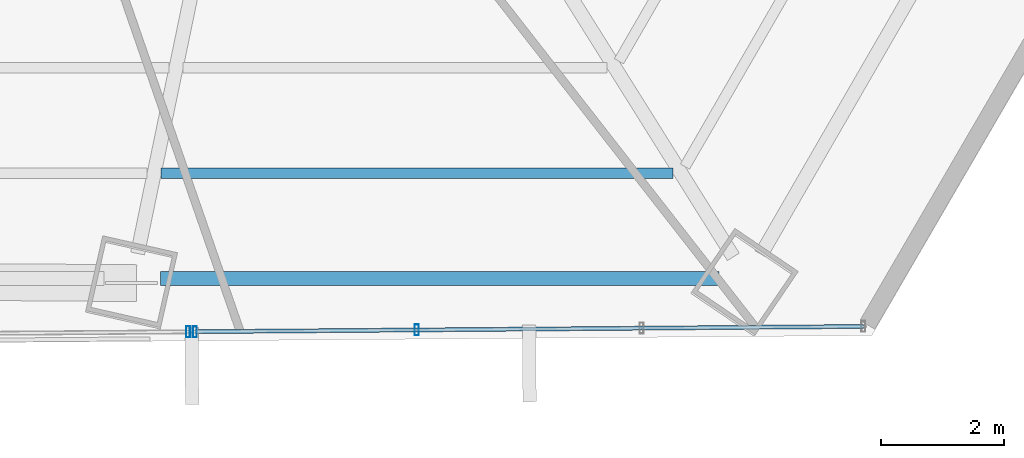
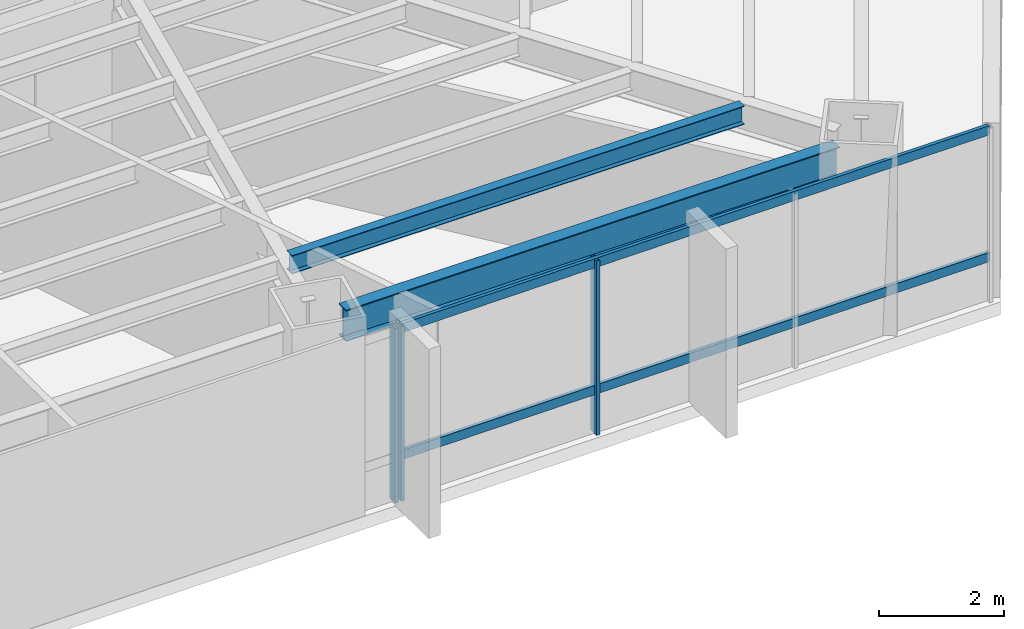
# One storey, part 15 of 35: 5 members, 2 beams, 2 elements without a shape of their own.
"""IFC4 building model written with IfcOpenShell, lengths in metres."""

from ifc_helpers import new_model, si_unit, direction, frame, origin, origin_2d, place, context, subcontext, project, spatial, hollow_rectangle, i_section, extrude, source, transform, mapped, material, material_profile, profile_set, type_object, type_shapes, element, aggregate, save


model = new_model("IFC4")

# Units and contexts
model_context = context("Model", 3, precision=1e-05, world=origin(), true_north=direction((0.0, 1.0)))
body_context = subcontext(model_context, "Body", "Model", "MODEL_VIEW")
ifc_project = project(units=[si_unit("LENGTHUNIT", "METRE"), si_unit("AREAUNIT", "SQUARE_METRE"), si_unit("VOLUMEUNIT", "CUBIC_METRE"), si_unit("PLANEANGLEUNIT", "RADIAN"), si_unit("MASSUNIT", "GRAM", prefix="KILO")], contexts=[model_context])

# Site, building, storey
site_placement = place(None, origin())
site = spatial("IfcSite", under=ifc_project, at=site_placement, CompositionType="ELEMENT")
building_placement = place(site_placement, origin())
building = spatial("IfcBuilding", under=site, at=building_placement, Name="Caelisora Broadcast Tower", CompositionType="ELEMENT")
storey_placement = place(building_placement, frame((0.0, 0.0, 53.14990234375)))
storey = spatial("IfcBuildingStorey", under=building, at=storey_placement, Name="L13", CompositionType="ELEMENT", Elevation=53.14990234375)

# Beams
ifc_material_1 = material(Name="Steel Grade 350 (AS/NZS 3679.1)", Category="steel")
ifc_material_profile_1 = material_profile(ifc_material_1, i_section(OverallWidth=0.22900390625, OverallDepth=0.611572265625, WebThickness=0.011962890625, FlangeThickness=0.01953125, at=origin_2d()), Name="Steel Grade 350 (AS/NZS 3679.1)")
ifc_profile_set_1 = profile_set([ifc_material_profile_1], Name="Steel Grade 350 (AS/NZS 3679.1)")
beam_type_1 = type_object("IfcBeamType", Name="PG03", PredefinedType="BEAM", material=ifc_profile_set_1)
shared_shape_1 = source(origin(), body_context, "Body", "SweptSolid", [
    extrude(i_section(OverallWidth=0.22900390625, OverallDepth=0.611572265625, WebThickness=0.011962890625, FlangeThickness=0.01953125, at=origin_2d()), origin(), (0.0, 0.0, 1.0), 9.09716796875),
])
type_shapes(beam_type_1, [shared_shape_1])
beam_1_placement = place(storey_placement, frame((43.468505859375, 5.37841796875, 3.09423828125), z_axis=(1.0, 0.0, 0.0), x_axis=(0.0, 1.0, 0.0)))
element("IfcBeam", 1, at=beam_1_placement, inside=storey, type_object=beam_type_1, Name="L13 beam PG03", PredefinedType="BEAM", context=body_context, shape_type="MappedRepresentation", body=[
    mapped(shared_shape_1, transform((0.0, 0.0, 0.0), scale=1.0)),
])
ifc_material_profile_2 = material_profile(ifc_material_1, i_section(OverallWidth=0.172119140625, OverallDepth=0.358642578125, WebThickness=0.008056640625, FlangeThickness=0.012939453125, at=origin_2d()), Name="Steel Grade 350 (AS/NZS 3679.1)")
ifc_profile_set_2 = profile_set([ifc_material_profile_2], Name="Steel Grade 350 (AS/NZS 3679.1)")
beam_type_2 = type_object("IfcBeamType", Name="SB02", PredefinedType="JOIST", material=ifc_profile_set_2)
shared_shape_2 = source(origin(), body_context, "Body", "SweptSolid", [
    extrude(i_section(OverallWidth=0.172119140625, OverallDepth=0.358642578125, WebThickness=0.008056640625, FlangeThickness=0.012939453125, at=origin_2d()), origin(), (0.0, 0.0, 1.0), 8.34130859375),
])
type_shapes(beam_type_2, [shared_shape_2])
beam_2_placement = place(storey_placement, frame((43.477783203125, 7.095703125, 3.220703125), z_axis=(1.0, 0.0, 0.0), x_axis=(0.0, 1.0, 0.0)))
element("IfcBeam", 2, at=beam_2_placement, inside=storey, type_object=beam_type_2, Name="L13 beam SB02", PredefinedType="JOIST", context=body_context, shape_type="MappedRepresentation", body=[
    mapped(shared_shape_2, transform((0.0, 0.0, 0.0), scale=1.0)),
])

# Curtain wall, members
ifc_material_2 = material(Name="Unitised Aluminium and Low-E Glass Curtain Wall", Category="glass")
curtain_wall_type_1 = type_object("IfcCurtainWallType", Name="CW-Z1", PredefinedType="NOTDEFINED", material=ifc_material_2)
curtain_wall_1_placement = place(storey_placement, origin())
curtain_wall_1 = element("IfcCurtainWall", 3, at=curtain_wall_1_placement, inside=storey, type_object=curtain_wall_type_1, Name="L13 curtain wall CW-Z1", PredefinedType="NOTDEFINED")
ifc_material_3 = material(Name="Aluminium 6063-T6 Anodised Terracotta Bronze", Category="aluminium")
ifc_material_profile_3 = material_profile(ifc_material_3, hollow_rectangle(XDim=0.06494140625, YDim=0.179931640625, WallThickness=0.00341796875, at=origin_2d()), Name="Aluminium 6063-T6 Anodised Terracotta Bronze")
ifc_profile_set_3 = profile_set([ifc_material_profile_3], Name="Aluminium 6063-T6 Anodised Terracotta Bronze")
member_type_1 = type_object("IfcMemberType", Name="CWM-02", PredefinedType="MULLION", material=ifc_profile_set_3)
shared_shape_3 = source(origin(), body_context, "Body", "SweptSolid", [
    extrude(hollow_rectangle(XDim=0.06494140625, YDim=0.179931640625, WallThickness=0.00341796875, at=origin_2d()), origin(), (0.0, 0.0, 1.0), 3.400146484375),
])
type_shapes(member_type_1, [shared_shape_3])
member_1_placement = place(storey_placement, frame((47.64306640625, 4.543212890625, 0.0), z_axis=(0.0, 0.0, 1.0), x_axis=(1.0, 0.0, 0.0)))
member_1 = element("IfcMember", 4, at=member_1_placement, type_object=member_type_1, Name="L13-CW-B05 mullion #2", PredefinedType="MULLION", context=body_context, shape_type="MappedRepresentation", body=[
    mapped(shared_shape_3, transform((0.0, 0.0, 0.0), scale=1.0)),
])
member_2_placement = place(storey_placement, frame((44.028564453125, 4.514404296875, 0.0), z_axis=(0.0, 0.0, 1.0), x_axis=(1.0, 0.0, 0.0)))
member_2 = element("IfcMember", 5, at=member_2_placement, type_object=member_type_1, Name="L13-CW-B05 mullion #3", PredefinedType="MULLION", context=body_context, shape_type="MappedRepresentation", body=[
    mapped(shared_shape_3, transform((0.0, 0.0, 0.0), scale=1.0)),
])

# Curtain wall, member
ifc_material_4 = material(Name="Unitised Aluminium Insulated Shadow-Box Spandrel Curtain Wall", Category="aluminium")
curtain_wall_type_2 = type_object("IfcCurtainWallType", Name="CW-SP1", PredefinedType="NOTDEFINED", material=ifc_material_4)
curtain_wall_2_placement = place(storey_placement, origin())
curtain_wall_2 = element("IfcCurtainWall", 6, at=curtain_wall_2_placement, inside=storey, type_object=curtain_wall_type_2, Name="L13 curtain wall CW-SP1", PredefinedType="NOTDEFINED")
member_3_placement = place(storey_placement, frame((43.91845703125, 4.513671875, 0.0), z_axis=(0.0, 0.0, 1.0), x_axis=(1.0, 0.0, 0.0)))
member_3 = element("IfcMember", 7, at=member_3_placement, type_object=member_type_1, Name="L13-CW-B06 mullion #0", PredefinedType="MULLION", context=body_context, shape_type="MappedRepresentation", body=[
    mapped(shared_shape_3, transform((0.0, 0.0, 0.0), scale=1.0)),
])
aggregate(curtain_wall_2, [member_3])

# Member
ifc_material_profile_4 = material_profile(ifc_material_3, hollow_rectangle(XDim=0.06494140625, YDim=0.179931640625, WallThickness=0.00341796875, at=origin_2d()), Name="Aluminium 6063-T6 Anodised Terracotta Bronze")
ifc_profile_set_4 = profile_set([ifc_material_profile_4], Name="Aluminium 6063-T6 Anodised Terracotta Bronze")
member_type_2 = type_object("IfcMemberType", Name="CWT-01", PredefinedType="USERDEFINED", material=ifc_profile_set_4)
shared_shape_4 = source(origin(), body_context, "Body", "SweptSolid", [
    extrude(hollow_rectangle(XDim=0.06494140625, YDim=0.179931640625, WallThickness=0.00341796875, at=origin_2d()), origin(), (0.0, 0.0, 1.0), 10.893798828125),
])
type_shapes(member_type_2, [shared_shape_4])
member_4_placement = place(storey_placement, frame((54.922119140625, 4.6005859375, 0.85009765625), z_axis=(-0.999968707526, -0.007911002998, 0.0), x_axis=(0.007911002998, -0.999968707526, 0.0)))
member_4 = element("IfcMember", 8, at=member_4_placement, type_object=member_type_2, Name="L13-CW-B05 transom #1", ObjectType="TRANSOM", PredefinedType="USERDEFINED", context=body_context, shape_type="MappedRepresentation", body=[
    mapped(shared_shape_4, transform((0.0, 0.0, 0.0), scale=1.0)),
])

member_5_placement = place(storey_placement, frame((54.922119140625, 4.6005859375, 3.320068359375), z_axis=(-0.999968707526, -0.007911002998, 0.0), x_axis=(0.007911002998, -0.999968707526, 0.0)))
member_5 = element("IfcMember", 9, at=member_5_placement, type_object=member_type_2, Name="L13-CW-B05 transom #2", ObjectType="TRANSOM", PredefinedType="USERDEFINED", context=body_context, shape_type="MappedRepresentation", body=[
    mapped(shared_shape_4, transform((0.0, 0.0, 0.0), scale=1.0)),
])

aggregate(curtain_wall_1, [member_1, member_2, member_4, member_5])

save(model, "model.ifc")
